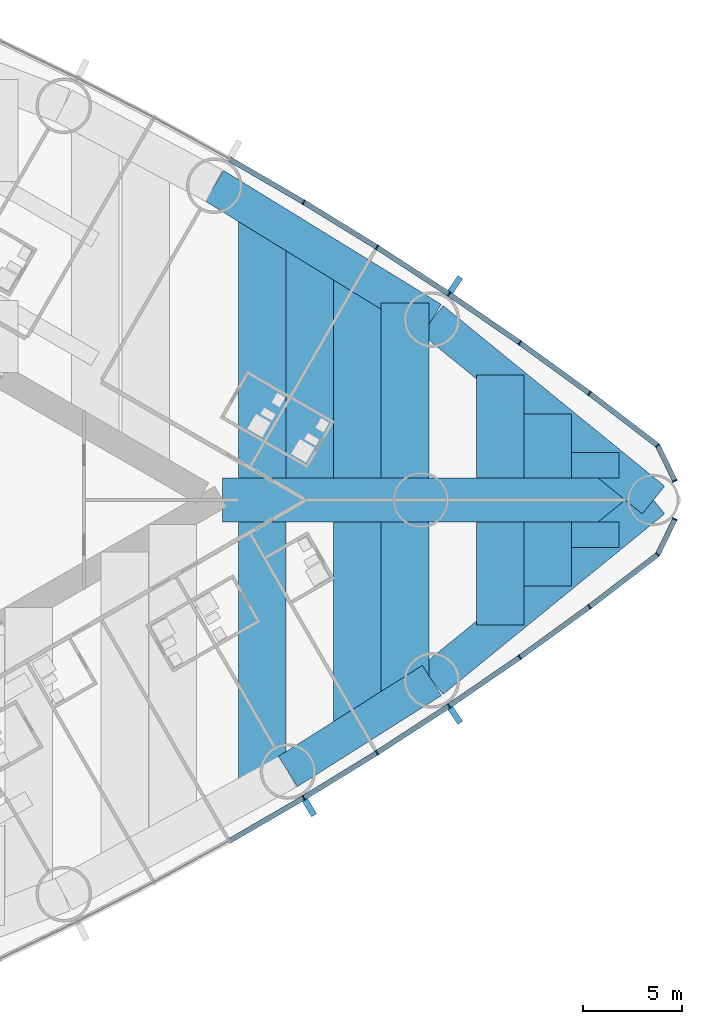
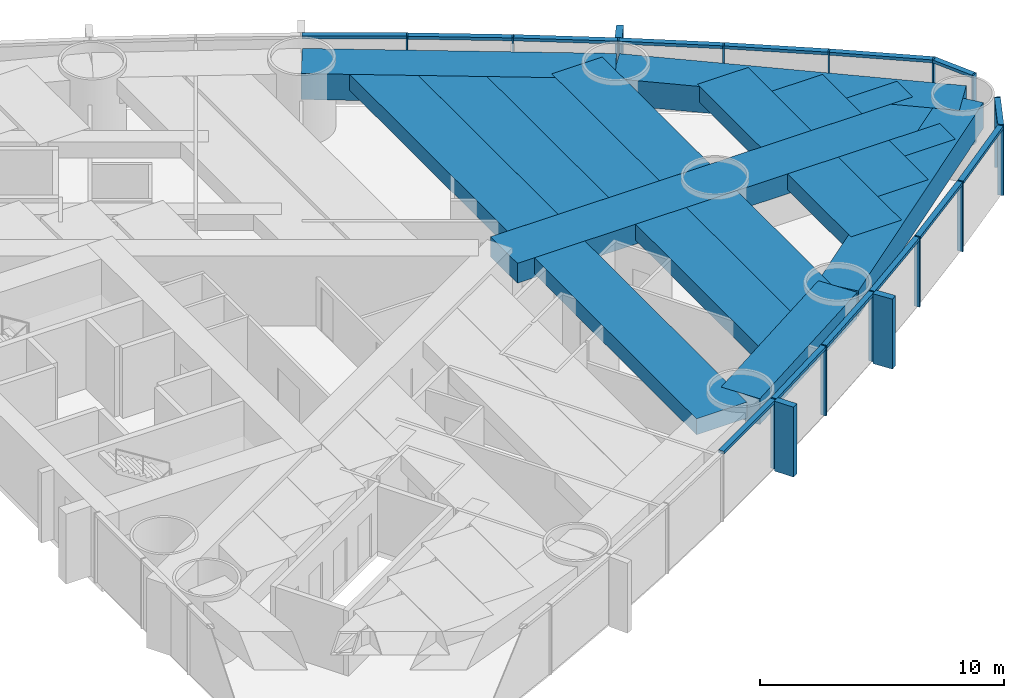
# One storey, part 8 of 18: 31 members, 18 beams, 2 elements without a shape of their own.
"""IFC4 building model written with IfcOpenShell, lengths in metres."""

import ifcopenshell
import ifcopenshell.guid

model = None  # the IFC model being written
_history = None  # IfcOwnerHistory: only IFC2X3 demands one
_inside = {}  # id of a spatial element -> (the spatial element, [elements in it])
_under = {}  # id of a project, library or spatial element -> (it, [spatial elements below it])
_declared = {}  # id of a project -> (the project, [libraries it declares])
_typed = {}  # id of a type object -> (the type object, [elements of that type])
_made_of = {}  # id of a material, layer set ... -> (it, [elements and type objects made of it])


def new_model(schema):
    """Start an empty IFC model of exactly this schema.

    Asked for "IFC4X3", IfcOpenShell would pick the latest addendum, in which some entities
    have other attributes; the version numbers below select the first issue.
    IFC2X3 requires an IfcOwnerHistory on every rooted entity: one is made here for all.
    """
    global model, _history
    if schema == "IFC4X3":
        model = ifcopenshell.file(schema_version=(4, 3, 0, 0))
    else:
        model = ifcopenshell.file(schema=schema)
    _inside.clear()
    _under.clear()
    _declared.clear()
    _typed.clear()
    _made_of.clear()
    _history = None
    if model.schema == "IFC2X3":
        org = make("IfcOrganization", Name="unknown")
        user = make(
            "IfcPersonAndOrganization",
            ThePerson=make("IfcPerson", FamilyName="unknown"),
            TheOrganization=org,
        )
        app = make(
            "IfcApplication",
            ApplicationDeveloper=org,
            Version="unknown",
            ApplicationFullName="unknown",
            ApplicationIdentifier="unknown",
        )
        _history = make(
            "IfcOwnerHistory",
            OwningUser=user,
            OwningApplication=app,
            ChangeAction="ADDED",
            CreationDate=0,
        )
    return model


def make(cls, **values):
    """One entity of the class cls with the attributes given. An attribute that is None is left unset."""
    return model.create_entity(
        cls, **{name: value for name, value in values.items() if value is not None}
    )


def rooted(cls, **values):
    """An entity with a GlobalId (a new one), such as an element, a storey or a relation."""
    return make(cls, GlobalId=ifcopenshell.guid.new(), OwnerHistory=_history, **values)


def si_unit(unit_type, name, prefix=None):
    """IfcSIUnit, for example si_unit("LENGTHUNIT", "METRE", prefix="MILLI")."""
    return make("IfcSIUnit", UnitType=unit_type, Prefix=prefix, Name=name)


def assignment(units):
    """IfcUnitAssignment: the units of a project."""
    return None if units is None else make("IfcUnitAssignment", Units=units)


def point(xyz):
    """IfcCartesianPoint."""
    return None if xyz is None else make("IfcCartesianPoint", Coordinates=xyz)


def direction(xyz):
    """IfcDirection."""
    return None if xyz is None else make("IfcDirection", DirectionRatios=xyz)


def frame(location, z_axis=None, x_axis=None):
    """IfcAxis2Placement3D, a coordinate frame: its origin and axes. An axis left out is left unset."""
    return make(
        "IfcAxis2Placement3D",
        Location=point(location),
        Axis=direction(z_axis),
        RefDirection=direction(x_axis),
    )


def frame_2d(location, x_axis=None):
    """IfcAxis2Placement2D, a coordinate frame in the plane: its origin and x axis."""
    return make(
        "IfcAxis2Placement2D", Location=point(location), RefDirection=direction(x_axis)
    )


def origin():
    """The frame at (0, 0, 0) with its axes left unset."""
    return frame((0.0, 0.0, 0.0))


def origin_2d():
    """The frame at (0, 0) in the plane with its x axis left unset."""
    return frame_2d((0.0, 0.0))


def place(relative_to, where):
    """IfcLocalPlacement: puts the frame where relative to a parent placement (None: the world)."""
    return make(
        "IfcLocalPlacement", PlacementRelTo=relative_to, RelativePlacement=where
    )


def context(
    kind, dimensions, precision=None, world=None, true_north=None, identifier=None
):
    """IfcGeometricRepresentationContext, for example the 3D "Model" context."""
    return make(
        "IfcGeometricRepresentationContext",
        ContextIdentifier=identifier,
        ContextType=kind,
        CoordinateSpaceDimension=dimensions,
        Precision=precision,
        WorldCoordinateSystem=world,
        TrueNorth=true_north,
    )


def subcontext(parent, identifier, kind, view, scale=None):
    """IfcGeometricRepresentationSubContext, for example "Body" below "Model"."""
    return make(
        "IfcGeometricRepresentationSubContext",
        ContextIdentifier=identifier,
        ContextType=kind,
        ParentContext=parent,
        TargetScale=scale,
        TargetView=view,
    )


def project(units=None, contexts=None):
    """IfcProject with its units and contexts."""
    return rooted(
        "IfcProject",
        Name="project",
        RepresentationContexts=contexts,
        UnitsInContext=assignment(units),
    )


def spatial(cls, under=None, at=None, **own):
    """A site, building, storey or space (cls), placed at a placement, below another one or the project."""
    s = rooted(cls, ObjectPlacement=at, **own)
    if under is not None:
        _under.setdefault(under.id(), (under, []))[1].append(s)
    return s


def profile(cls, at=None, kind="AREA", **sizes):
    """A parametric profile (cls). Its sizes go by their IFC names, for example OverallWidth=200.0."""
    return make(cls, ProfileType=kind, Position=at, **sizes)


def rectangle(**sizes):
    """IfcRectangleProfileDef."""
    return profile("IfcRectangleProfileDef", **sizes)


def extrude(swept, where, along, depth):
    """IfcExtrudedAreaSolid: the profile swept, set in the frame where, extruded along a direction by depth."""
    return make(
        "IfcExtrudedAreaSolid",
        SweptArea=swept,
        Position=where,
        ExtrudedDirection=direction(along),
        Depth=depth,
    )


def shape(context_of_items, identifier, shape_type, items):
    """IfcShapeRepresentation: the items that make up one representation, for example the "Body"."""
    return make(
        "IfcShapeRepresentation",
        ContextOfItems=context_of_items,
        RepresentationIdentifier=identifier,
        RepresentationType=shape_type,
        Items=items,
    )


def material(Name=None, Category=None):
    """IfcMaterial."""
    return make("IfcMaterial", Name=Name, Category=Category)


def material_profile(
    of_material, cross_section, Name=None, Category=None, Priority=None
):
    """IfcMaterialProfile: a cross section and its material."""
    return make(
        "IfcMaterialProfile",
        Name=Name,
        Material=of_material,
        Profile=cross_section,
        Priority=Priority,
        Category=Category,
    )


def profile_set(profiles, Name=None, composite=None):
    """IfcMaterialProfileSet."""
    return make(
        "IfcMaterialProfileSet",
        Name=Name,
        MaterialProfiles=profiles,
        CompositeProfile=composite,
    )


def made_of(thing, what):
    """Note that an element or type object is made of a material, layer set ...; save() writes the relation."""
    if what is not None:
        _made_of.setdefault(what.id(), (what, []))[1].append(thing)
    return thing


def type_object(cls, material=None, **own):
    """A type object (cls), such as IfcWallType, which elements share."""
    return made_of(rooted(cls, **own), material)


def element(
    cls,
    number,
    at=None,
    inside=None,
    cuts=None,
    type_object=None,
    material=None,
    context=None,
    identifier="Body",
    shape_type=None,
    held_by="IfcProductDefinitionShape",
    body=None,
    shapes=None,
    **own,
):
    """One element of the class cls, such as IfcWall. Its Tag is "e" and its number.

    at: its placement. inside: the storey or other place that contains it. cuts: it is an
    opening in that element (IfcRelVoidsElement). A single representation is given by context,
    identifier, shape_type and body (its items); several are given by shapes. held_by: the class
    of the entity that holds the representations. save() writes the other relations.
    """
    e = rooted(cls, Tag="e%d" % number, ObjectPlacement=at, **own)
    if body is not None:
        shapes = [shape(context, identifier, shape_type, body)]
    if shapes is not None:
        e.Representation = make(held_by, Representations=shapes)
    if inside is not None:
        _inside.setdefault(inside.id(), (inside, []))[1].append(e)
    if cuts is not None:
        rooted(
            "IfcRelVoidsElement", RelatingBuildingElement=cuts, RelatedOpeningElement=e
        )
    if type_object is not None:
        _typed.setdefault(type_object.id(), (type_object, []))[1].append(e)
    return made_of(e, material)


def aggregate(whole, parts):
    """IfcRelAggregates: a whole, such as a stair, and the parts it consists of."""
    return rooted("IfcRelAggregates", RelatingObject=whole, RelatedObjects=parts)


def save(model, path):
    """Write the relations noted so far, then the file.

    IfcRelAggregates (storeys below a building ...), IfcRelContainedInSpatialStructure (elements
    in a storey), IfcRelDefinesByType, IfcRelAssociatesMaterial and IfcRelDeclares: one each for
    every whole, place, type object, material and project.
    """
    for whole, parts in _under.values():
        aggregate(whole, parts)
    for where, things in _inside.values():
        rooted(
            "IfcRelContainedInSpatialStructure",
            RelatedElements=things,
            RelatingStructure=where,
        )
    for kind, things in _typed.values():
        rooted("IfcRelDefinesByType", RelatedObjects=things, RelatingType=kind)
    for what, things in _made_of.values():
        rooted("IfcRelAssociatesMaterial", RelatedObjects=things, RelatingMaterial=what)
    for by, libraries in _declared.values():
        rooted("IfcRelDeclares", RelatingContext=by, RelatedDefinitions=libraries)
    model.write(path)


model = new_model("IFC4")

# Units and contexts
model_context = context("Model", 3, precision=1e-05, world=origin(), true_north=direction((0.0, 1.0)))
body_context = subcontext(model_context, "Body", "Model", "MODEL_VIEW")
ifc_project = project(units=[si_unit("LENGTHUNIT", "METRE"), si_unit("AREAUNIT", "SQUARE_METRE"), si_unit("VOLUMEUNIT", "CUBIC_METRE"), si_unit("PLANEANGLEUNIT", "RADIAN"), si_unit("MASSUNIT", "GRAM", prefix="KILO")], contexts=[model_context])

# Site, building, storey
site_placement = place(None, origin())
site = spatial("IfcSite", under=ifc_project, at=site_placement, CompositionType="ELEMENT")
building_placement = place(site_placement, origin())
building = spatial("IfcBuilding", under=site, at=building_placement, Name="Lancet Gate Hotel", CompositionType="ELEMENT")
storey_placement = place(building_placement, frame((0.0, 0.0, 53.0)))
storey = spatial("IfcBuildingStorey", under=building, at=storey_placement, Name="L13", CompositionType="ELEMENT", Elevation=53.0)

# Curtain wall, members
ifc_material_1 = material(Name="Aluminium curtain wall", Category="aluminium")
curtain_wall_type = type_object("IfcCurtainWallType", Name="Tower unitised curtain wall", PredefinedType="USERDEFINED", material=ifc_material_1)
curtain_wall_1_placement = place(storey_placement, origin())
curtain_wall_1 = element("IfcCurtainWall", 1, at=curtain_wall_1_placement, inside=storey, type_object=curtain_wall_type, Name="T2 L13 curtain wall 2", ObjectType="UNITISED CURTAIN WALL", PredefinedType="USERDEFINED")
ifc_material_2 = material(Name="Aluminium mullion", Category="aluminium")
ifc_material_profile_1 = material_profile(ifc_material_2, rectangle(XDim=0.06494140625, YDim=0.25, at=origin_2d()), Name="MULLION 65x250")
ifc_profile_set_1 = profile_set([ifc_material_profile_1], Name="Aluminium mullion")
member_type_1 = type_object("IfcMemberType", Name="Aluminium mullion 65x250", PredefinedType="MULLION", material=ifc_profile_set_1)
member_1_placement = place(storey_placement, frame((55.590087890625, -15.03125, 0.0), z_axis=(0.0, 0.0, 1.0), x_axis=(0.858413008828, 0.512959166284, 0.0)))
member_1 = element("IfcMember", 2, at=member_1_placement, type_object=member_type_1, Name="T2 L13 curtain wall 2 mullion 8", PredefinedType="MULLION", context=body_context, shape_type="SweptSolid", body=[
    extrude(rectangle(XDim=0.06494140625, YDim=0.25, at=origin_2d()), origin(), (0.0, 0.0, 1.0), 3.5),
])
member_2_placement = place(storey_placement, frame((59.28515625, -12.7587890625, 0.0), z_axis=(0.0, 0.0, 1.0), x_axis=(0.845079420983, 0.534640788035, 0.0)))
member_2 = element("IfcMember", 3, at=member_2_placement, type_object=member_type_1, Name="T2 L13 curtain wall 2 mullion 9", PredefinedType="MULLION", context=body_context, shape_type="SweptSolid", body=[
    extrude(rectangle(XDim=0.06494140625, YDim=0.25, at=origin_2d()), origin(), (0.0, 0.0, 1.0), 3.5),
])
member_3_placement = place(storey_placement, frame((62.921142578125, -10.393310546875, 0.0), z_axis=(0.0, 0.0, 1.0), x_axis=(0.831198325377, 0.555976028162, 0.0)))
member_3 = element("IfcMember", 4, at=member_3_placement, type_object=member_type_1, Name="T2 L13 curtain wall 2 mullion 10", PredefinedType="MULLION", context=body_context, shape_type="SweptSolid", body=[
    extrude(rectangle(XDim=0.06494140625, YDim=0.25, at=origin_2d()), origin(), (0.0, 0.0, 1.0), 3.5),
])
member_4_placement = place(storey_placement, frame((66.49560546875, -7.935791015625, 0.0), z_axis=(0.0, 0.0, 1.0), x_axis=(0.816778715254, 0.576951064049, 0.0)))
member_4 = element("IfcMember", 5, at=member_4_placement, type_object=member_type_1, Name="T2 L13 curtain wall 2 mullion 11", PredefinedType="MULLION", context=body_context, shape_type="SweptSolid", body=[
    extrude(rectangle(XDim=0.06494140625, YDim=0.25, at=origin_2d()), origin(), (0.0, 0.0, 1.0), 3.5),
])
member_5_placement = place(storey_placement, frame((70.00634765625, -5.388427734375, 0.0), z_axis=(0.0, 0.0, 1.0), x_axis=(0.801829932754, 0.597552306447, 0.0)))
member_5 = element("IfcMember", 6, at=member_5_placement, type_object=member_type_1, Name="T2 L13 curtain wall 2 mullion 12", PredefinedType="MULLION", context=body_context, shape_type="SweptSolid", body=[
    extrude(rectangle(XDim=0.06494140625, YDim=0.25, at=origin_2d()), origin(), (0.0, 0.0, 1.0), 3.5),
])
member_6_placement = place(storey_placement, frame((73.451416015625, -2.752197265625, 0.0), z_axis=(0.0, 0.0, 1.0), x_axis=(0.697983022443, 0.716114306784, 0.0)))
member_6 = element("IfcMember", 7, at=member_6_placement, type_object=member_type_1, Name="T2 L13 curtain wall 2 mullion 13", PredefinedType="MULLION", context=body_context, shape_type="SweptSolid", body=[
    extrude(rectangle(XDim=0.06494140625, YDim=0.25, at=origin_2d()), origin(), (0.0, 0.0, 1.0), 3.5),
])
member_7_placement = place(storey_placement, frame((74.322265625, -0.96044921875, 0.0), z_axis=(0.0, 0.0, 1.0), x_axis=(0.437169070119, 0.899379343843, 0.0)))
member_7 = element("IfcMember", 8, at=member_7_placement, type_object=member_type_1, Name="T2 L13 curtain wall 2 mullion 14", PredefinedType="MULLION", context=body_context, shape_type="SweptSolid", body=[
    extrude(rectangle(XDim=0.06494140625, YDim=0.25, at=origin_2d()), origin(), (0.0, 0.0, 1.0), 3.5),
])

curtain_wall_2_placement = place(storey_placement, origin())
curtain_wall_2 = element("IfcCurtainWall", 9, at=curtain_wall_2_placement, inside=storey, type_object=curtain_wall_type, Name="T2 L13 curtain wall 3", ObjectType="UNITISED CURTAIN WALL", PredefinedType="USERDEFINED")
member_8_placement = place(storey_placement, frame((74.322265625, 0.96044921875, 0.0), z_axis=(0.0, 0.0, 1.0), x_axis=(-0.437169070119, 0.899379343843, 0.0)))
member_8 = element("IfcMember", 10, at=member_8_placement, type_object=member_type_1, Name="T2 L13 curtain wall 3 mullion 1", PredefinedType="MULLION", context=body_context, shape_type="SweptSolid", body=[
    extrude(rectangle(XDim=0.06494140625, YDim=0.25, at=origin_2d()), origin(), (0.0, 0.0, 1.0), 3.5),
])
member_9_placement = place(storey_placement, frame((73.451416015625, 2.752197265625, 0.0), z_axis=(0.0, 0.0, 1.0), x_axis=(-0.697983022443, 0.716114306784, 0.0)))
member_9 = element("IfcMember", 11, at=member_9_placement, type_object=member_type_1, Name="T2 L13 curtain wall 3 mullion 2", PredefinedType="MULLION", context=body_context, shape_type="SweptSolid", body=[
    extrude(rectangle(XDim=0.06494140625, YDim=0.25, at=origin_2d()), origin(), (0.0, 0.0, 1.0), 3.5),
])
member_10_placement = place(storey_placement, frame((70.00634765625, 5.388427734375, 0.0), z_axis=(0.0, 0.0, 1.0), x_axis=(-0.801829932754, 0.597552306447, 0.0)))
member_10 = element("IfcMember", 12, at=member_10_placement, type_object=member_type_1, Name="T2 L13 curtain wall 3 mullion 3", PredefinedType="MULLION", context=body_context, shape_type="SweptSolid", body=[
    extrude(rectangle(XDim=0.06494140625, YDim=0.25, at=origin_2d()), origin(), (0.0, 0.0, 1.0), 3.5),
])
member_11_placement = place(storey_placement, frame((66.49560546875, 7.935791015625, 0.0), z_axis=(0.0, 0.0, 1.0), x_axis=(-0.816778715254, 0.576951064049, 0.0)))
member_11 = element("IfcMember", 13, at=member_11_placement, type_object=member_type_1, Name="T2 L13 curtain wall 3 mullion 4", PredefinedType="MULLION", context=body_context, shape_type="SweptSolid", body=[
    extrude(rectangle(XDim=0.06494140625, YDim=0.25, at=origin_2d()), origin(), (0.0, 0.0, 1.0), 3.5),
])
member_12_placement = place(storey_placement, frame((62.921142578125, 10.393310546875, 0.0), z_axis=(0.0, 0.0, 1.0), x_axis=(-0.831198325377, 0.555976028162, 0.0)))
member_12 = element("IfcMember", 14, at=member_12_placement, type_object=member_type_1, Name="T2 L13 curtain wall 3 mullion 5", PredefinedType="MULLION", context=body_context, shape_type="SweptSolid", body=[
    extrude(rectangle(XDim=0.06494140625, YDim=0.25, at=origin_2d()), origin(), (0.0, 0.0, 1.0), 3.5),
])
member_13_placement = place(storey_placement, frame((59.28515625, 12.7587890625, 0.0), z_axis=(0.0, 0.0, 1.0), x_axis=(-0.845079420983, 0.534640788035, 0.0)))
member_13 = element("IfcMember", 15, at=member_13_placement, type_object=member_type_1, Name="T2 L13 curtain wall 3 mullion 6", PredefinedType="MULLION", context=body_context, shape_type="SweptSolid", body=[
    extrude(rectangle(XDim=0.06494140625, YDim=0.25, at=origin_2d()), origin(), (0.0, 0.0, 1.0), 3.5),
])
member_14_placement = place(storey_placement, frame((55.590087890625, 15.03125, 0.0), z_axis=(0.0, 0.0, 1.0), x_axis=(-0.858413008828, 0.512959166284, 0.0)))
member_14 = element("IfcMember", 16, at=member_14_placement, type_object=member_type_1, Name="T2 L13 curtain wall 3 mullion 7", PredefinedType="MULLION", context=body_context, shape_type="SweptSolid", body=[
    extrude(rectangle(XDim=0.06494140625, YDim=0.25, at=origin_2d()), origin(), (0.0, 0.0, 1.0), 3.5),
])

# Member
ifc_material_3 = material(Name="Aluminium transom", Category="aluminium")
ifc_material_profile_2 = material_profile(ifc_material_3, rectangle(XDim=0.25, YDim=0.14990234375, at=origin_2d()), Name="TRANSOM 250x150")
ifc_profile_set_2 = profile_set([ifc_material_profile_2], Name="Aluminium transom")
member_type_2 = type_object("IfcMemberType", Name="Aluminium transom 250x150", PredefinedType="USERDEFINED", material=ifc_profile_set_2)
member_15_placement = place(storey_placement, frame((51.86669921875, -17.1923828125, 3.425048828125), z_axis=(0.864854571156, 0.502022480324, 0.0), x_axis=(-0.502022480324, 0.864854571156, 0.0)))
member_15 = element("IfcMember", 17, at=member_15_placement, type_object=member_type_2, Name="T2 L13 curtain wall 2 transom 7", ObjectType="TRANSOM", PredefinedType="USERDEFINED", context=body_context, shape_type="SweptSolid", body=[
    extrude(rectangle(XDim=0.25, YDim=0.14990234375, at=origin_2d()), origin(), (0.0, 0.0, 1.0), 4.272705078125),
])

member_16_placement = place(storey_placement, frame((55.617919921875, -15.01416015625, 3.425048828125), z_axis=(0.851815224451, 0.523842365023, 0.0), x_axis=(-0.523842365023, 0.851815224451, 0.0)))
member_16 = element("IfcMember", 18, at=member_16_placement, type_object=member_type_2, Name="T2 L13 curtain wall 2 transom 8", ObjectType="TRANSOM", PredefinedType="USERDEFINED", context=body_context, shape_type="SweptSolid", body=[
    extrude(rectangle(XDim=0.25, YDim=0.14990234375, at=origin_2d()), origin(), (0.0, 0.0, 1.0), 4.272705078125),
])

member_17_placement = place(storey_placement, frame((59.3125, -12.7412109375, 3.425048828125), z_axis=(0.83817850664, 0.545395994674, 0.0), x_axis=(-0.545395994674, 0.83817850664, 0.0)))
member_17 = element("IfcMember", 19, at=member_17_placement, type_object=member_type_2, Name="T2 L13 curtain wall 2 transom 9", ObjectType="TRANSOM", PredefinedType="USERDEFINED", context=body_context, shape_type="SweptSolid", body=[
    extrude(rectangle(XDim=0.25, YDim=0.14990234375, at=origin_2d()), origin(), (0.0, 0.0, 1.0), 4.272705078125),
])

member_18_placement = place(storey_placement, frame((62.94775390625, -10.374755859375, 3.425048828125), z_axis=(0.824071932869, 0.566485171437, 0.0), x_axis=(-0.566485171437, 0.824071932869, 0.0)))
member_18 = element("IfcMember", 20, at=member_18_placement, type_object=member_type_2, Name="T2 L13 curtain wall 2 transom 10", ObjectType="TRANSOM", PredefinedType="USERDEFINED", context=body_context, shape_type="SweptSolid", body=[
    extrude(rectangle(XDim=0.25, YDim=0.14990234375, at=origin_2d()), origin(), (0.0, 0.0, 1.0), 4.272705078125),
])

member_19_placement = place(storey_placement, frame((66.52197265625, -7.916748046875, 3.425048828125), z_axis=(0.809382971085, 0.587281198505, 0.0), x_axis=(-0.587281198505, 0.809382971085, 0.0)))
member_19 = element("IfcMember", 21, at=member_19_placement, type_object=member_type_2, Name="T2 L13 curtain wall 2 transom 11", ObjectType="TRANSOM", PredefinedType="USERDEFINED", context=body_context, shape_type="SweptSolid", body=[
    extrude(rectangle(XDim=0.25, YDim=0.14990234375, at=origin_2d()), origin(), (0.0, 0.0, 1.0), 4.272705078125),
])

member_20_placement = place(storey_placement, frame((70.0322265625, -5.36865234375, 3.425048828125), z_axis=(0.794155062652, 0.607715177089, 0.0), x_axis=(-0.607715177089, 0.794155062652, 0.0)))
member_20 = element("IfcMember", 22, at=member_20_placement, type_object=member_type_2, Name="T2 L13 curtain wall 2 transom 12", ObjectType="TRANSOM", PredefinedType="USERDEFINED", context=body_context, shape_type="SweptSolid", body=[
    extrude(rectangle(XDim=0.25, YDim=0.14990234375, at=origin_2d()), origin(), (0.0, 0.0, 1.0), 4.27294921875),
])

member_21_placement = place(storey_placement, frame((73.465576171875, -2.72314453125, 3.425048828125), z_axis=(0.437103060611, 0.899411426659, 0.0), x_axis=(-0.899411426659, 0.437103060611, 0.0)))
member_21 = element("IfcMember", 23, at=member_21_placement, type_object=member_type_2, Name="T2 L13 curtain wall 2 transom 13", ObjectType="TRANSOM", PredefinedType="USERDEFINED", context=body_context, shape_type="SweptSolid", body=[
    extrude(rectangle(XDim=0.25, YDim=0.14990234375, at=origin_2d()), origin(), (0.0, 0.0, 1.0), 1.927490234375),
])

member_22_placement = place(storey_placement, frame((74.30810546875, 0.989501953125, 3.425048828125), z_axis=(-0.437103060611, 0.899411426659, 0.0), x_axis=(-0.899411426659, -0.437103060611, 0.0)))
member_22 = element("IfcMember", 24, at=member_22_placement, type_object=member_type_2, Name="T2 L13 curtain wall 3 transom 1", ObjectType="TRANSOM", PredefinedType="USERDEFINED", context=body_context, shape_type="SweptSolid", body=[
    extrude(rectangle(XDim=0.25, YDim=0.14990234375, at=origin_2d()), origin(), (0.0, 0.0, 1.0), 1.927490234375),
])

member_23_placement = place(storey_placement, frame((73.425537109375, 2.77197265625, 3.425048828125), z_axis=(-0.794155062652, 0.607715177089, 0.0), x_axis=(-0.607715177089, -0.794155062652, 0.0)))
member_23 = element("IfcMember", 25, at=member_23_placement, type_object=member_type_2, Name="T2 L13 curtain wall 3 transom 2", ObjectType="TRANSOM", PredefinedType="USERDEFINED", context=body_context, shape_type="SweptSolid", body=[
    extrude(rectangle(XDim=0.25, YDim=0.14990234375, at=origin_2d()), origin(), (0.0, 0.0, 1.0), 4.27294921875),
])

member_24_placement = place(storey_placement, frame((69.980224609375, 5.407470703125, 3.425048828125), z_axis=(-0.809382971085, 0.587281198505, 0.0), x_axis=(-0.587281198505, -0.809382971085, 0.0)))
member_24 = element("IfcMember", 26, at=member_24_placement, type_object=member_type_2, Name="T2 L13 curtain wall 3 transom 3", ObjectType="TRANSOM", PredefinedType="USERDEFINED", context=body_context, shape_type="SweptSolid", body=[
    extrude(rectangle(XDim=0.25, YDim=0.14990234375, at=origin_2d()), origin(), (0.0, 0.0, 1.0), 4.272705078125),
])

member_25_placement = place(storey_placement, frame((66.46875, 7.954345703125, 3.425048828125), z_axis=(-0.824071932869, 0.566485171437, 0.0), x_axis=(-0.566485171437, -0.824071932869, 0.0)))
member_25 = element("IfcMember", 27, at=member_25_placement, type_object=member_type_2, Name="T2 L13 curtain wall 3 transom 4", ObjectType="TRANSOM", PredefinedType="USERDEFINED", context=body_context, shape_type="SweptSolid", body=[
    extrude(rectangle(XDim=0.25, YDim=0.14990234375, at=origin_2d()), origin(), (0.0, 0.0, 1.0), 4.272705078125),
])

member_26_placement = place(storey_placement, frame((62.893798828125, 10.410888671875, 3.425048828125), z_axis=(-0.83817850664, 0.545395994674, 0.0), x_axis=(-0.545395994674, -0.83817850664, 0.0)))
member_26 = element("IfcMember", 28, at=member_26_placement, type_object=member_type_2, Name="T2 L13 curtain wall 3 transom 5", ObjectType="TRANSOM", PredefinedType="USERDEFINED", context=body_context, shape_type="SweptSolid", body=[
    extrude(rectangle(XDim=0.25, YDim=0.14990234375, at=origin_2d()), origin(), (0.0, 0.0, 1.0), 4.272705078125),
])

member_27_placement = place(storey_placement, frame((59.257568359375, 12.77587890625, 3.425048828125), z_axis=(-0.851815224451, 0.523842365023, 0.0), x_axis=(-0.523842365023, -0.851815224451, 0.0)))
member_27 = element("IfcMember", 29, at=member_27_placement, type_object=member_type_2, Name="T2 L13 curtain wall 3 transom 6", ObjectType="TRANSOM", PredefinedType="USERDEFINED", context=body_context, shape_type="SweptSolid", body=[
    extrude(rectangle(XDim=0.25, YDim=0.14990234375, at=origin_2d()), origin(), (0.0, 0.0, 1.0), 4.272705078125),
])

member_28_placement = place(storey_placement, frame((55.56201171875, 15.04736328125, 3.425048828125), z_axis=(-0.864854571156, 0.502022480324, 0.0), x_axis=(-0.502022480324, -0.864854571156, 0.0)))
member_28 = element("IfcMember", 30, at=member_28_placement, type_object=member_type_2, Name="T2 L13 curtain wall 3 transom 7", ObjectType="TRANSOM", PredefinedType="USERDEFINED", context=body_context, shape_type="SweptSolid", body=[
    extrude(rectangle(XDim=0.25, YDim=0.14990234375, at=origin_2d()), origin(), (0.0, 0.0, 1.0), 4.272705078125),
])

# Beams
ifc_material_4 = material(Name="Concrete C50/60", Category="concrete")
ifc_material_profile_3 = material_profile(ifc_material_4, rectangle(XDim=1.800048828125, YDim=1.300048828125, at=origin_2d()), Name="RC 1800x1300")
ifc_profile_set_3 = profile_set([ifc_material_profile_3], Name="Concrete C50/60")
beam_type_1 = type_object("IfcBeamType", Name="Edge beam RC 1800x1300", PredefinedType="SPANDREL", material=ifc_profile_set_3)
beam_1_placement = place(storey_placement, frame((54.795166015625, -13.70068359375, 2.60009765625), z_axis=(0.845078312276, 0.534642540508, 0.0), x_axis=(-0.534642540508, 0.845078312276, 0.0)))
element("IfcBeam", 31, at=beam_1_placement, inside=storey, type_object=beam_type_1, Name="T2 edge beam EB1 L13", PredefinedType="SPANDREL", context=body_context, shape_type="SweptSolid", body=[
    extrude(rectangle(XDim=1.800048828125, YDim=1.300048828125, at=origin_2d()), origin(), (0.0, 0.0, 1.0), 8.595947265625),
])
for number, where, z_axis, x_axis, name in (
    (32, (62.059326171875, -9.10498046875, 2.60009765625), (0.775390970005, 0.631481467372, 0.0), (-0.631481467372, 0.775390970005, 0.0), "T2 edge beam EB1 L13"),
    (33, (73.2392578125, 0.0, 2.60009765625), (-0.775390970005, 0.631481467372, 0.0), (-0.631481467372, -0.775390970005, 0.0), "T2 edge beam EB1 L13"),
):
    element("IfcBeam", number, at=place(storey_placement, frame(where, z_axis=z_axis, x_axis=x_axis)), inside=storey, type_object=beam_type_1, Name=name, PredefinedType="SPANDREL", context=body_context, shape_type="SweptSolid", body=[
        extrude(rectangle(XDim=1.800048828125, YDim=1.300048828125, at=origin_2d()), origin(), (0.0, 0.0, 1.0), 14.41845703125),
    ])
beam_2_placement = place(storey_placement, frame((62.059326171875, 9.10498046875, 2.60009765625), z_axis=(-0.851815628025, 0.523841708775, 0.0), x_axis=(-0.523841708775, -0.851815628025, 0.0)))
element("IfcBeam", 34, at=beam_2_placement, inside=storey, type_object=beam_type_1, Name="T2 edge beam EB1 L13", PredefinedType="SPANDREL", context=body_context, shape_type="SweptSolid", body=[
    extrude(rectangle(XDim=1.800048828125, YDim=1.300048828125, at=origin_2d()), origin(), (0.0, 0.0, 1.0), 12.89208984375),
])

# Member
ifc_material_5 = material(Name="Precast concrete C50/60", Category="concrete")
ifc_material_profile_4 = material_profile(ifc_material_5, rectangle(XDim=0.300048828125, YDim=0.89990234375, at=origin_2d()), Name="FIN 300x900")
ifc_profile_set_4 = profile_set([ifc_material_profile_4], Name="Precast concrete C50/60")
member_type_3 = type_object("IfcMemberType", Name="Exposed concrete fin 300x900", PredefinedType="USERDEFINED", material=ifc_profile_set_4)
member_29_placement = place(storey_placement, frame((55.88525390625, -15.524658203125, 0.0), z_axis=(0.0, 0.0, 1.0), x_axis=(0.858413008828, 0.512959166284, 0.0)))
member_29 = element("IfcMember", 35, at=member_29_placement, type_object=member_type_3, Name="T2 L13 curtain wall 2 fin 8", ObjectType="FIN", PredefinedType="USERDEFINED", context=body_context, shape_type="SweptSolid", body=[
    extrude(rectangle(XDim=0.300048828125, YDim=0.89990234375, at=origin_2d()), origin(), (0.0, 0.0, 1.0), 3.5),
])

member_30_placement = place(storey_placement, frame((63.24072265625, -10.87109375, 0.0), z_axis=(0.0, 0.0, 1.0), x_axis=(0.831198325377, 0.555976028162, 0.0)))
member_30 = element("IfcMember", 36, at=member_30_placement, type_object=member_type_3, Name="T2 L13 curtain wall 2 fin 10", ObjectType="FIN", PredefinedType="USERDEFINED", context=body_context, shape_type="SweptSolid", body=[
    extrude(rectangle(XDim=0.300048828125, YDim=0.89990234375, at=origin_2d()), origin(), (0.0, 0.0, 1.0), 3.5),
])

aggregate(curtain_wall_1, [member_1, member_29, member_2, member_3, member_30, member_4, member_5, member_6, member_7, member_15, member_16, member_17, member_18, member_19, member_20, member_21])

member_31_placement = place(storey_placement, frame((63.24072265625, 10.87109375, 0.0), z_axis=(0.0, 0.0, 1.0), x_axis=(-0.831198325377, 0.555976028162, 0.0)))
member_31 = element("IfcMember", 37, at=member_31_placement, type_object=member_type_3, Name="T2 L13 curtain wall 3 fin 5", ObjectType="FIN", PredefinedType="USERDEFINED", context=body_context, shape_type="SweptSolid", body=[
    extrude(rectangle(XDim=0.300048828125, YDim=0.89990234375, at=origin_2d()), origin(), (0.0, 0.0, 1.0), 3.5),
])

aggregate(curtain_wall_2, [member_8, member_9, member_10, member_11, member_12, member_31, member_13, member_14, member_22, member_23, member_24, member_25, member_26, member_27, member_28])

# Beams
ifc_material_6 = material(Name="Concrete C50/60", Category="concrete")
ifc_material_profile_5 = material_profile(ifc_material_6, rectangle(XDim=2.39990234375, YDim=0.800048828125, at=origin_2d()), Name="RC 2400x800")
ifc_profile_set_5 = profile_set([ifc_material_profile_5], Name="Concrete C50/60")
beam_type_2 = type_object("IfcBeamType", Name="Floor beam RC 2400x800", PredefinedType="BEAM", material=ifc_profile_set_5)
beam_3_placement = place(storey_placement, frame((53.502197265625, -14.40771484375, 2.85009765625), z_axis=(0.0, 1.0, 0.0), x_axis=(-1.0, 0.0, 0.0)))
element("IfcBeam", 38, at=beam_3_placement, inside=storey, type_object=beam_type_2, Name="T2 floor beam F16S L13", PredefinedType="BEAM", context=body_context, shape_type="SweptSolid", body=[
    extrude(rectangle(XDim=2.39990234375, YDim=0.800048828125, at=origin_2d()), origin(), (0.0, 0.0, 1.0), 13.3076171875),
])
beam_4_placement = place(storey_placement, frame((53.502197265625, 1.10009765625, 2.85009765625), z_axis=(0.0, 1.0, 0.0), x_axis=(-1.0, 0.0, 0.0)))
element("IfcBeam", 39, at=beam_4_placement, inside=storey, type_object=beam_type_2, Name="T2 floor beam F17N L13", PredefinedType="BEAM", context=body_context, shape_type="SweptSolid", body=[
    extrude(rectangle(XDim=2.39990234375, YDim=0.800048828125, at=origin_2d()), origin(), (0.0, 0.0, 1.0), 13.26708984375),
])
beam_5_placement = place(storey_placement, frame((55.90234375, 1.10009765625, 2.85009765625), z_axis=(0.0, 1.0, 0.0), x_axis=(-1.0, 0.0, 0.0)))
element("IfcBeam", 40, at=beam_5_placement, inside=storey, type_object=beam_type_2, Name="T2 floor beam F18N L13", PredefinedType="BEAM", context=body_context, shape_type="SweptSolid", body=[
    extrude(rectangle(XDim=2.39990234375, YDim=0.800048828125, at=origin_2d()), origin(), (0.0, 0.0, 1.0), 11.791259765625),
])
beam_6_placement = place(storey_placement, frame((58.30224609375, -11.48193359375, 2.85009765625), z_axis=(0.0, 1.0, 0.0), x_axis=(-1.0, 0.0, 0.0)))
element("IfcBeam", 41, at=beam_6_placement, inside=storey, type_object=beam_type_2, Name="T2 floor beam F19S L13", PredefinedType="BEAM", context=body_context, shape_type="SweptSolid", body=[
    extrude(rectangle(XDim=2.39990234375, YDim=0.800048828125, at=origin_2d()), origin(), (0.0, 0.0, 1.0), 10.3818359375),
])
beam_7_placement = place(storey_placement, frame((58.30224609375, 1.10009765625, 2.85009765625), z_axis=(0.0, 1.0, 0.0), x_axis=(-1.0, 0.0, 0.0)))
element("IfcBeam", 42, at=beam_7_placement, inside=storey, type_object=beam_type_2, Name="T2 floor beam F20N L13", PredefinedType="BEAM", context=body_context, shape_type="SweptSolid", body=[
    extrude(rectangle(XDim=2.39990234375, YDim=0.800048828125, at=origin_2d()), origin(), (0.0, 0.0, 1.0), 10.3154296875),
])
beam_8_placement = place(storey_placement, frame((60.7021484375, -9.96337890625, 2.85009765625), z_axis=(0.0, 1.0, 0.0), x_axis=(-1.0, 0.0, 0.0)))
element("IfcBeam", 43, at=beam_8_placement, inside=storey, type_object=beam_type_2, Name="T2 floor beam F21S L13", PredefinedType="BEAM", context=body_context, shape_type="SweptSolid", body=[
    extrude(rectangle(XDim=2.39990234375, YDim=0.800048828125, at=origin_2d()), origin(), (0.0, 0.0, 1.0), 8.86328125),
])
beam_9_placement = place(storey_placement, frame((60.7021484375, 1.10009765625, 2.85009765625), z_axis=(0.0, 1.0, 0.0), x_axis=(-1.0, 0.0, 0.0)))
element("IfcBeam", 44, at=beam_9_placement, inside=storey, type_object=beam_type_2, Name="T2 floor beam F22N L13", PredefinedType="BEAM", context=body_context, shape_type="SweptSolid", body=[
    extrude(rectangle(XDim=2.39990234375, YDim=0.800048828125, at=origin_2d()), origin(), (0.0, 0.0, 1.0), 8.83935546875),
])
for number, where, z_axis, x_axis, name in (
    (45, (65.502197265625, -6.301025390625, 2.85009765625), (0.0, 1.0, 0.0), (-1.0, 0.0, 0.0), "T2 floor beam F23S L13"),
    (46, (65.502197265625, 1.10009765625, 2.85009765625), (0.0, 1.0, 0.0), (-1.0, 0.0, 0.0), "T2 floor beam F24N L13"),
):
    element("IfcBeam", number, at=place(storey_placement, frame(where, z_axis=z_axis, x_axis=x_axis)), inside=storey, type_object=beam_type_2, Name=name, PredefinedType="BEAM", context=body_context, shape_type="SweptSolid", body=[
        extrude(rectangle(XDim=2.39990234375, YDim=0.800048828125, at=origin_2d()), origin(), (0.0, 0.0, 1.0), 5.200927734375),
    ])
for number, where, z_axis, x_axis, name in (
    (47, (67.90234375, -4.346435546875, 2.85009765625), (0.0, 1.0, 0.0), (-1.0, 0.0, 0.0), "T2 floor beam F25S L13"),
    (48, (67.90234375, 1.10009765625, 2.85009765625), (0.0, 1.0, 0.0), (-1.0, 0.0, 0.0), "T2 floor beam F26N L13"),
):
    element("IfcBeam", number, at=place(storey_placement, frame(where, z_axis=z_axis, x_axis=x_axis)), inside=storey, type_object=beam_type_2, Name=name, PredefinedType="BEAM", context=body_context, shape_type="SweptSolid", body=[
        extrude(rectangle(XDim=2.39990234375, YDim=0.800048828125, at=origin_2d()), origin(), (0.0, 0.0, 1.0), 3.246337890625),
    ])
for number, where, z_axis, x_axis, name in (
    (49, (70.30224609375, -2.391845703125, 2.85009765625), (0.0, 1.0, 0.0), (-1.0, 0.0, 0.0), "T2 floor beam F27S L13"),
    (50, (70.30224609375, 1.10009765625, 2.85009765625), (0.0, 1.0, 0.0), (-1.0, 0.0, 0.0), "T2 floor beam F28N L13"),
):
    element("IfcBeam", number, at=place(storey_placement, frame(where, z_axis=z_axis, x_axis=x_axis)), inside=storey, type_object=beam_type_2, Name=name, PredefinedType="BEAM", context=body_context, shape_type="SweptSolid", body=[
        extrude(rectangle(XDim=2.39990234375, YDim=0.800048828125, at=origin_2d()), origin(), (0.0, 0.0, 1.0), 1.291748046875),
    ])
ifc_material_7 = material(Name="Concrete C50/60", Category="concrete")
ifc_material_profile_6 = material_profile(ifc_material_7, rectangle(XDim=2.199951171875, YDim=1.0, at=origin_2d()), Name="RC 2200x1000")
ifc_profile_set_6 = profile_set([ifc_material_profile_6], Name="Concrete C50/60")
beam_type_3 = type_object("IfcBeamType", Name="Radial floor beam RC 2200x1000", PredefinedType="BEAM", material=ifc_profile_set_6)
beam_10_placement = place(storey_placement, frame((73.2392578125, 0.0, 2.75), z_axis=(-1.0, 0.0, 0.0), x_axis=(0.0, -1.0, 0.0)))
element("IfcBeam", 51, at=beam_10_placement, inside=storey, type_object=beam_type_3, Name="T2 radial beam CA L13", PredefinedType="BEAM", context=body_context, shape_type="SweptSolid", body=[
    extrude(rectangle(XDim=2.199951171875, YDim=1.0, at=origin_2d()), origin(), (0.0, 0.0, 1.0), 21.737060546875),
])

save(model, "model.ifc")
